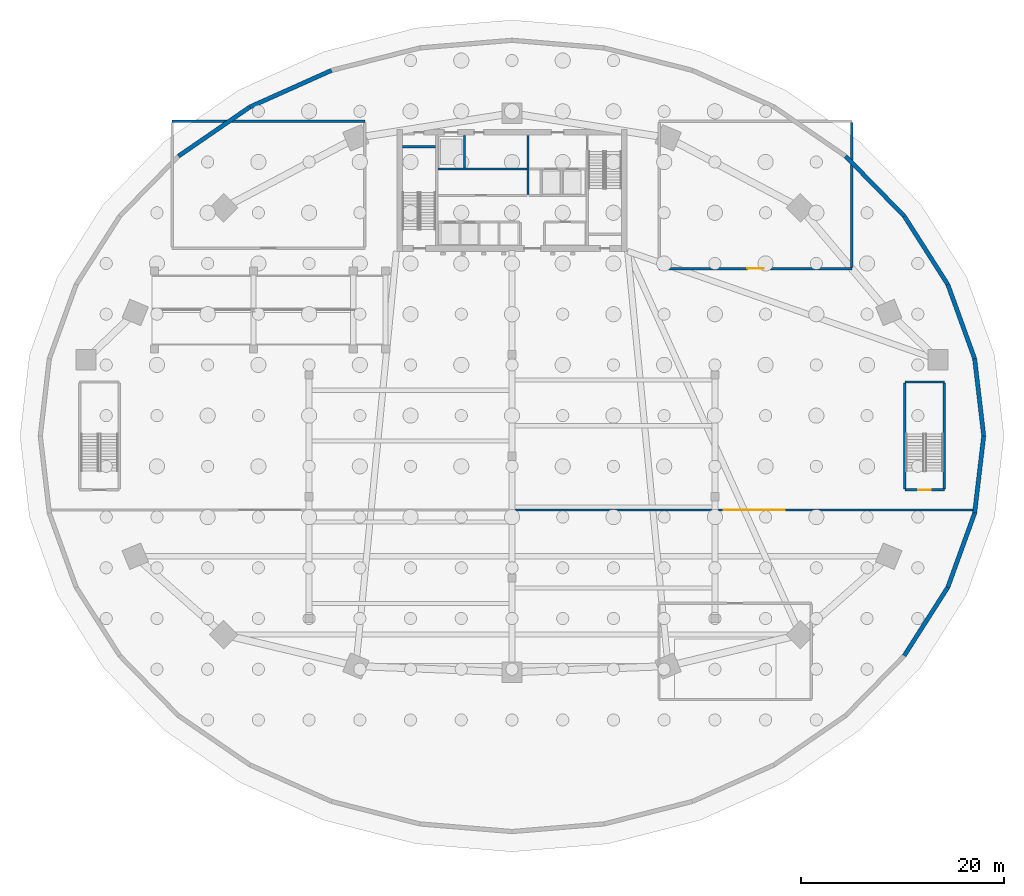
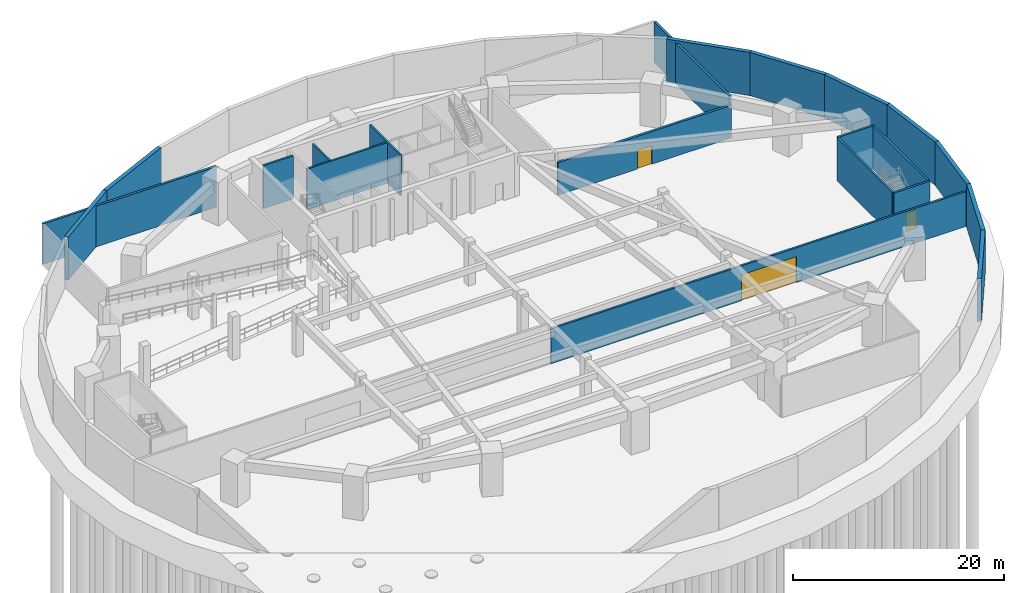
# One storey, part 6 of 11: 21 walls, 3 doors, 3 openings.
"""IFC4 building model written with IfcOpenShell, lengths in metres."""

from ifc_helpers import new_model, si_unit, direction, frame, frame_2d, origin, place, context, subcontext, project, spatial, rectangle, extrude, source, transform, mapped, material, layer, layer_set, type_object, type_shapes, element, fill, save


model = new_model("IFC4")

# Units and contexts
model_context = context("Model", 3, precision=1e-05, world=origin(), true_north=direction((0.0, 1.0)))
body_context = subcontext(model_context, "Body", "Model", "MODEL_VIEW")
ifc_project = project(units=[si_unit("LENGTHUNIT", "METRE"), si_unit("AREAUNIT", "SQUARE_METRE"), si_unit("VOLUMEUNIT", "CUBIC_METRE"), si_unit("PLANEANGLEUNIT", "RADIAN"), si_unit("MASSUNIT", "GRAM", prefix="KILO")], contexts=[model_context])

# Site, building, storey
site_placement = place(None, origin())
site = spatial("IfcSite", under=ifc_project, at=site_placement, CompositionType="ELEMENT")
building_placement = place(site_placement, origin())
building = spatial("IfcBuilding", under=site, at=building_placement, Name="Breltana Convention Tower", CompositionType="ELEMENT")
storey_placement = place(building_placement, frame((0.0, 0.0, -10.0)))
storey = spatial("IfcBuildingStorey", under=building, at=storey_placement, Name="B02", CompositionType="ELEMENT", Elevation=-10.0)

# Walls
ifc_material_1 = material(Name="Concrete C40/50", Category="concrete")
ifc_layer_1 = layer(ifc_material_1, 0.419921875, Name="Concrete C40/50")
ifc_layer_set_1 = layer_set([ifc_layer_1], Name="Concrete C40/50")
wall_type_1 = type_object("IfcWallType", Name="SW-BASE-420", PredefinedType="USERDEFINED", material=ifc_layer_set_1)
shared_shape_1 = source(origin(), body_context, "Body", "SweptSolid", [
    extrude(rectangle(XDim=7.66064453125, YDim=0.419921875, at=frame_2d((3.830322265625, 0.0))), origin(), (0.0, 0.0, 1.0), 5.0),
])
for number, where, z_axis, x_axis, name in (
    (1, (94.5, 42.0, 0.0), (0.0, 0.0, 1.0), (-0.116641545586, 0.993174078318, 0.0), "B02 Perimeter Retaining Wall 01"),
    (2, (93.6064453125, 34.3916015625, 0.0), (0.0, 0.0, 1.0), (0.116641545586, 0.993174078318, 0.0), "B02 Perimeter Retaining Wall 32"),
):
    element("IfcWall", number, at=place(storey_placement, frame(where, z_axis=z_axis, x_axis=x_axis)), inside=storey, type_object=wall_type_1, Name=name, ObjectType="RETAININGWALL", PredefinedType="USERDEFINED", context=body_context, shape_type="MappedRepresentation", body=[
        mapped(shared_shape_1, transform((0.0, 0.0, 0.0), scale=1.0)),
    ])
shared_shape_2 = source(origin(), body_context, "Body", "SweptSolid", [
    extrude(rectangle(XDim=7.7802734375, YDim=0.419921875, at=frame_2d((3.89013671875, 0.0))), origin(), (0.0, 0.0, 1.0), 5.0),
])
for number, where, z_axis, x_axis, name in (
    (3, (93.6064453125, 49.6083984375, 0.0), (0.0, 0.0, 1.0), (-0.340094752388, 0.940391173607, 0.0), "B02 Perimeter Retaining Wall 02"),
    (4, (90.96044921875, 27.0751953125, 0.0), (0.0, 0.0, 1.0), (0.340094752388, 0.940391173607, 0.0), "B02 Perimeter Retaining Wall 31"),
):
    element("IfcWall", number, at=place(storey_placement, frame(where, z_axis=z_axis, x_axis=x_axis)), inside=storey, type_object=wall_type_1, Name=name, ObjectType="RETAININGWALL", PredefinedType="USERDEFINED", context=body_context, shape_type="MappedRepresentation", body=[
        mapped(shared_shape_2, transform((0.0, 0.0, 0.0), scale=1.0)),
    ])
shared_shape_3 = source(origin(), body_context, "Body", "SweptSolid", [
    extrude(rectangle(XDim=7.995361328125, YDim=0.419921875, at=frame_2d((3.99755859375, 0.0))), origin(), (0.0, 0.0, 1.0), 5.0),
])
for number, where, z_axis, x_axis, name in (
    (5, (90.96044921875, 56.9248046875, 0.0), (0.0, 0.0, 1.0), (-0.537452304734, 0.84329414805, 0.0), "B02 Perimeter Retaining Wall 03"),
    (6, (86.663330078125, 20.332763671875, 0.0), (0.0, 0.0, 1.0), (0.537452304734, 0.84329414805, 0.0), "B02 Perimeter Retaining Wall 30"),
):
    element("IfcWall", number, at=place(storey_placement, frame(where, z_axis=z_axis, x_axis=x_axis)), inside=storey, type_object=wall_type_1, Name=name, ObjectType="RETAININGWALL", PredefinedType="USERDEFINED", context=body_context, shape_type="MappedRepresentation", body=[
        mapped(shared_shape_3, transform((0.0, 0.0, 0.0), scale=1.0)),
    ])
shared_shape_4 = source(origin(), body_context, "Body", "SweptSolid", [
    extrude(rectangle(XDim=8.268310546875, YDim=0.419921875, at=frame_2d((4.13427734375, 0.0))), origin(), (0.0, 0.0, 1.0), 5.0),
])
wall_1_placement = place(storey_placement, frame((86.663330078125, 63.667236328125, 0.0), z_axis=(0.0, 0.0, 1.0), x_axis=(-0.699373198463, 0.714756692358, 0.0)))
element("IfcWall", 7, at=wall_1_placement, inside=storey, type_object=wall_type_1, Name="B02 Perimeter Retaining Wall 04", ObjectType="RETAININGWALL", PredefinedType="USERDEFINED", context=body_context, shape_type="MappedRepresentation", body=[
    mapped(shared_shape_4, transform((0.0, 0.0, 0.0), scale=1.0)),
])
shared_shape_5 = source(origin(), body_context, "Body", "SweptSolid", [
    extrude(rectangle(XDim=8.554443359375, YDim=0.419921875, at=frame_2d((4.27734375, 0.0))), origin(), (0.0, 0.0, 1.0), 5.0),
])
wall_2_placement = place(storey_placement, frame((22.166015625, 74.42724609375, 0.0), z_axis=(0.0, 0.0, 1.0), x_axis=(-0.823739529001, -0.566968419192, 0.0)))
element("IfcWall", 8, at=wall_2_placement, inside=storey, type_object=wall_type_1, Name="B02 Perimeter Retaining Wall 12", ObjectType="RETAININGWALL", PredefinedType="USERDEFINED", context=body_context, shape_type="MappedRepresentation", body=[
    mapped(shared_shape_5, transform((0.0, 0.0, 0.0), scale=1.0)),
])
shared_shape_6 = source(origin(), body_context, "Body", "SweptSolid", [
    extrude(rectangle(XDim=8.81005859375, YDim=0.419921875, at=frame_2d((4.405029296875, 0.0))), origin(), (0.0, 0.0, 1.0), 5.0),
])
wall_3_placement = place(storey_placement, frame((30.205078125, 78.03125, 0.0), z_axis=(0.0, 0.0, 1.0), x_axis=(-0.912497196731, -0.409082957305, 0.0)))
element("IfcWall", 9, at=wall_3_placement, inside=storey, type_object=wall_type_1, Name="B02 Perimeter Retaining Wall 11", ObjectType="RETAININGWALL", PredefinedType="USERDEFINED", context=body_context, shape_type="MappedRepresentation", body=[
    mapped(shared_shape_6, transform((0.0, 0.0, 0.0), scale=1.0)),
])
ifc_material_2 = material(Name="Concrete C50/60", Category="concrete")
ifc_layer_2 = layer(ifc_material_2, 0.39990234375, Name="Concrete C50/60")
ifc_layer_set_2 = layer_set([ifc_layer_2], Name="Concrete C50/60")
wall_type_2 = type_object("IfcWallType", Name="SW-CORE-400", PredefinedType="SHEAR", material=ifc_layer_set_2)
shared_shape_7 = source(origin(), body_context, "Body", "SweptSolid", [
    extrude(rectangle(XDim=3.27001953125, YDim=0.219970703125, at=frame_2d((1.635009765625, 0.0))), origin(), (0.0, 0.0, 1.0), 5.0),
])
type_shapes(wall_type_2, [shared_shape_7])
wall_4_placement = place(storey_placement, frame((37.199951171875, 70.510009765625, 0.0), z_axis=(0.0, 0.0, 1.0), x_axis=(1.0, 0.0, 0.0)))
element("IfcWall", 10, at=wall_4_placement, inside=storey, type_object=wall_type_2, Name="B02 ST-1 Stairwell North Bearing Wall", PredefinedType="SHEAR", context=body_context, shape_type="MappedRepresentation", body=[
    mapped(shared_shape_7, transform((0.0, 0.0, 0.0), scale=1.0)),
])
ifc_material_3 = material(Name="Autoclaved Aerated Concrete Block", Category="concrete")
ifc_layer_3 = layer(ifc_material_3, 0.199951171875, Name="Autoclaved Aerated Concrete Block")
ifc_layer_set_3 = layer_set([ifc_layer_3], Name="Autoclaved Aerated Concrete Block")
wall_type_3 = type_object("IfcWallType", Name="WL-SHAFT-200", PredefinedType="SOLIDWALL", material=ifc_layer_set_3)
shared_shape_8 = source(origin(), body_context, "Body", "SweptSolid", [
    extrude(rectangle(XDim=5.800048828125, YDim=0.199951171875, at=frame_2d((2.89990234375, 0.0))), origin(), (0.0, 0.0, 1.0), 4.699951171875),
])
wall_5_placement = place(storey_placement, frame((49.60009765625, 65.800048828125, 0.0), z_axis=(0.0, 0.0, 1.0), x_axis=(0.0, 1.0, 0.0)))
element("IfcWall", 11, at=wall_5_placement, inside=storey, type_object=wall_type_3, Name="B02 interior partition W-B02-FFL-W", PredefinedType="SOLIDWALL", context=body_context, shape_type="MappedRepresentation", body=[
    mapped(shared_shape_8, transform((0.0, 0.0, 0.0), scale=1.0)),
])
shared_shape_9 = source(origin(), body_context, "Body", "SweptSolid", [
    extrude(rectangle(XDim=3.2001953125, YDim=0.199951171875, at=frame_2d((1.60009765625, 0.0))), origin(), (0.0, 0.0, 1.0), 4.699951171875),
])
wall_6_placement = place(storey_placement, frame((43.320068359375, 68.39990234375, 0.0), z_axis=(0.0, 0.0, 1.0), x_axis=(0.0, 1.0, 0.0)))
element("IfcWall", 12, at=wall_6_placement, inside=storey, type_object=wall_type_3, Name="B02 interior partition W-B02-SV-E", PredefinedType="SOLIDWALL", context=body_context, shape_type="MappedRepresentation", body=[
    mapped(shared_shape_9, transform((0.0, 0.0, 0.0), scale=1.0)),
])
shared_shape_10 = source(origin(), body_context, "Body", "SweptSolid", [
    extrude(rectangle(XDim=8.800048828125, YDim=0.199951171875, at=frame_2d((4.39990234375, 0.0))), origin(), (0.0, 0.0, 1.0), 4.699951171875),
])
wall_7_placement = place(storey_placement, frame((40.699951171875, 68.300048828125, 0.0), z_axis=(0.0, 0.0, 1.0), x_axis=(1.0, 0.0, 0.0)))
element("IfcWall", 13, at=wall_7_placement, inside=storey, type_object=wall_type_3, Name="B02 interior partition W-B02-SV-S", PredefinedType="SOLIDWALL", context=body_context, shape_type="MappedRepresentation", body=[
    mapped(shared_shape_10, transform((0.0, 0.0, 0.0), scale=1.0)),
])

# Wall, opening, door
ifc_layer_4 = layer(ifc_material_1, 0.219970703125, Name="Concrete C40/50")
ifc_layer_set_4 = layer_set([ifc_layer_4], Name="Concrete C40/50")
wall_type_4 = type_object("IfcWallType", Name="WL-SHAFT-220", PredefinedType="SOLIDWALL", material=ifc_layer_set_4)
shared_shape_11 = source(origin(), body_context, "Body", "SweptSolid", [
    extrude(rectangle(XDim=3.89013671875, YDim=0.219970703125, at=frame_2d((1.945068359375, 0.0))), origin(), (0.0, 0.0, 1.0), 5.0),
])
type_shapes(wall_type_4, [shared_shape_11])
wall_8_placement = place(storey_placement, frame((86.719970703125, 36.68994140625, 0.0), z_axis=(0.0, 0.0, 1.0), x_axis=(1.0, 0.0, 0.0)))
wall_8 = element("IfcWall", 14, at=wall_8_placement, inside=storey, type_object=wall_type_4, Name="B02 interior partition W-B02-ST4-S", PredefinedType="SOLIDWALL", context=body_context, shape_type="MappedRepresentation", body=[
    mapped(shared_shape_11, transform((0.0, 0.0, 0.0), scale=1.0)),
])
opening_1_placement = place(wall_8_placement, frame((1.344970703125, 0.0, 0.0)))
opening_1 = element("IfcOpeningElement", 15, at=opening_1_placement, cuts=wall_8, Name="Opening D-09", PredefinedType="OPENING", context=body_context, shape_type="SweptSolid", body=[
    extrude(rectangle(XDim=1.199951171875, YDim=2.14990234375, at=frame_2d((0.60009765625, 1.074951171875))), frame((0.0, 0.1201171875, 0.0), z_axis=(0.0, -1.0, 0.0), x_axis=(1.0, 0.0, 0.0)), (0.0, 0.0, 1.0), 0.239990234375),
])
ifc_material_4 = material(Name="Steel Fire Lobby Door", Category="steel")
door_type_1 = type_object("IfcDoorType", Name="DR-FD120-1200", OperationType="NOTDEFINED", PredefinedType="DOOR", material=ifc_material_4)
shared_shape_12 = source(origin(), body_context, "Body", "SweptSolid", [
    extrude(rectangle(XDim=1.199951171875, YDim=2.14990234375, at=frame_2d((0.60009765625, 1.074951171875))), frame((0.0, 0.02490234375, 0.0), z_axis=(0.0, -1.0, 0.0), x_axis=(1.0, 0.0, 0.0)), (0.0, 0.0, 1.0), 0.050048828125),
])
type_shapes(door_type_1, [shared_shape_12])
door_1_placement = place(opening_1_placement, origin())
door_1 = element("IfcDoor", 16, at=door_1_placement, inside=storey, type_object=door_type_1, Name="B02 interior door D-B02-ST4", OperationType="SINGLE_SWING_RIGHT", OverallHeight=2.14990234375, OverallWidth=1.199951171875, PredefinedType="DOOR", context=body_context, shape_type="MappedRepresentation", body=[
    mapped(shared_shape_12, transform((0.0, 0.0, 0.0), scale=1.0)),
])
fill(opening_1, door_1)

# Walls
wall_9_placement = place(storey_placement, frame((86.719970703125, 47.31005859375, 0.0), z_axis=(0.0, 0.0, 1.0), x_axis=(1.0, 0.0, 0.0)))
element("IfcWall", 17, at=wall_9_placement, inside=storey, type_object=wall_type_4, Name="B02 interior partition W-B02-ST4-N", PredefinedType="SOLIDWALL", context=body_context, shape_type="MappedRepresentation", body=[
    mapped(shared_shape_11, transform((0.0, 0.0, 0.0), scale=1.0)),
])
shared_shape_13 = source(origin(), body_context, "Body", "SweptSolid", [
    extrude(rectangle(XDim=10.421875, YDim=0.219970703125, at=frame_2d((5.2109375, 0.0))), origin(), (0.0, 0.0, 1.0), 5.0),
])
for number, where, z_axis, x_axis, name in (
    (18, (86.719970703125, 36.7890625, 0.0), (0.0, 0.0, 1.0), (0.0, 1.0, 0.0), "B02 interior partition W-B02-ST4-W"),
    (19, (90.610107421875, 36.7890625, 0.0), (0.0, 0.0, 1.0), (0.0, 1.0, 0.0), "B02 interior partition W-B02-ST4-E"),
):
    element("IfcWall", number, at=place(storey_placement, frame(where, z_axis=z_axis, x_axis=x_axis)), inside=storey, type_object=wall_type_4, Name=name, PredefinedType="SOLIDWALL", context=body_context, shape_type="MappedRepresentation", body=[
        mapped(shared_shape_13, transform((0.0, 0.0, 0.0), scale=1.0)),
    ])

# Wall, opening, door
ifc_material_5 = material(Name="Gypsum Acoustic Double Stud Wall")
ifc_layer_5 = layer(ifc_material_5, 0.25, Name="Gypsum Acoustic Double Stud Wall")
ifc_layer_set_5 = layer_set([ifc_layer_5], Name="Gypsum Acoustic Double Stud Wall")
wall_type_5 = type_object("IfcWallType", Name="WL-ACOUSTIC-250", PredefinedType="PARTITIONING", material=ifc_layer_set_5)
shared_shape_14 = source(origin(), body_context, "Body", "SweptSolid", [
    extrude(rectangle(XDim=19.0, YDim=0.25, at=frame_2d((9.5, 0.0))), origin(), (0.0, 0.0, 1.0), 3.780029296875),
])
type_shapes(wall_type_5, [shared_shape_14])
wall_10_placement = place(storey_placement, frame((62.5, 58.5, 0.0), z_axis=(0.0, 0.0, 1.0), x_axis=(1.0, 0.0, 0.0)))
wall_10 = element("IfcWall", 20, at=wall_10_placement, inside=storey, type_object=wall_type_5, Name="B02 interior partition W-B02-PLT1-S", PredefinedType="PARTITIONING", context=body_context, shape_type="MappedRepresentation", body=[
    mapped(shared_shape_14, transform((0.0, 0.0, 0.0), scale=1.0)),
])
opening_2_placement = place(wall_10_placement, frame((8.699951171875, 0.0, 0.0)))
opening_2 = element("IfcOpeningElement", 21, at=opening_2_placement, cuts=wall_10, Name="Opening D-04", PredefinedType="OPENING", context=body_context, shape_type="SweptSolid", body=[
    extrude(rectangle(XDim=1.60009765625, YDim=2.14990234375, at=frame_2d((0.800048828125, 1.074951171875))), frame((0.0, 0.135009765625, 0.0), z_axis=(0.0, -1.0, 0.0), x_axis=(1.0, 0.0, 0.0)), (0.0, 0.0, 1.0), 0.27001953125),
])
ifc_material_6 = material(Name="Steel Heavy-Duty Plant Door", Category="steel")
door_type_2 = type_object("IfcDoorType", Name="DR-PLT-1600", OperationType="DOUBLE_DOOR_SINGLE_SWING", PredefinedType="DOOR", material=ifc_material_6)
shared_shape_15 = source(origin(), body_context, "Body", "SweptSolid", [
    extrude(rectangle(XDim=1.60009765625, YDim=2.14990234375, at=frame_2d((0.800048828125, 1.074951171875))), frame((0.0, 0.02490234375, 0.0), z_axis=(0.0, -1.0, 0.0), x_axis=(1.0, 0.0, 0.0)), (0.0, 0.0, 1.0), 0.050048828125),
])
type_shapes(door_type_2, [shared_shape_15])
door_2_placement = place(opening_2_placement, origin())
door_2 = element("IfcDoor", 22, at=door_2_placement, inside=storey, type_object=door_type_2, Name="B02 interior door D-B02-PLT1", OperationType="SINGLE_SWING_LEFT", OverallHeight=2.14990234375, OverallWidth=1.60009765625, PredefinedType="DOOR", context=body_context, shape_type="MappedRepresentation", body=[
    mapped(shared_shape_15, transform((0.0, 0.0, 0.0), scale=1.0)),
])
fill(opening_2, door_2)

# Walls
shared_shape_16 = source(origin(), body_context, "Body", "SweptSolid", [
    extrude(rectangle(XDim=19.0, YDim=0.25, at=frame_2d((9.5, 0.0))), origin(), (0.0, 0.0, 1.0), 4.699951171875),
])
wall_11_placement = place(storey_placement, frame((14.5, 73.0, 0.0), z_axis=(0.0, 0.0, 1.0), x_axis=(1.0, 0.0, 0.0)))
element("IfcWall", 23, at=wall_11_placement, inside=storey, type_object=wall_type_5, Name="B02 interior partition W-B02-PLT2-N", PredefinedType="PARTITIONING", context=body_context, shape_type="MappedRepresentation", body=[
    mapped(shared_shape_16, transform((0.0, 0.0, 0.0), scale=1.0)),
])
shared_shape_17 = source(origin(), body_context, "Body", "SweptSolid", [
    extrude(rectangle(XDim=14.27490234375, YDim=0.25, at=frame_2d((7.137451171875, 0.0))), origin(), (0.0, 0.0, 1.0), 4.699951171875),
])
wall_12_placement = place(storey_placement, frame((81.5, 58.612548828125, 0.0), z_axis=(0.0, 0.0, 1.0), x_axis=(0.0, 1.0, 0.0)))
element("IfcWall", 24, at=wall_12_placement, inside=storey, type_object=wall_type_5, Name="B02 interior partition W-B02-PLT1-E", PredefinedType="PARTITIONING", context=body_context, shape_type="MappedRepresentation", body=[
    mapped(shared_shape_17, transform((0.0, 0.0, 0.0), scale=1.0)),
])

# Wall, opening, door
shared_shape_18 = source(origin(), body_context, "Body", "SweptSolid", [
    extrude(rectangle(XDim=45.451416015625, YDim=0.219970703125, at=frame_2d((22.7255859375, 0.0))), origin(), (0.0, 0.0, 1.0), 4.030029296875),
])
wall_13_placement = place(storey_placement, frame((48.0, 34.699951171875, 0.0), z_axis=(0.0, 0.0, 1.0), x_axis=(1.0, 0.0, 0.0)))
wall_13 = element("IfcWall", 25, at=wall_13_placement, inside=storey, type_object=wall_type_4, Name="B02 interior partition W-B02-FSH-E", PredefinedType="SOLIDWALL", context=body_context, shape_type="MappedRepresentation", body=[
    mapped(shared_shape_18, transform((0.0, 0.0, 0.0), scale=1.0)),
])
opening_3_placement = place(wall_13_placement, frame((20.875732421875, 0.0, 0.0)))
opening_3 = element("IfcOpeningElement", 26, at=opening_3_placement, cuts=wall_13, Name="Opening VG-03", PredefinedType="OPENING", context=body_context, shape_type="SweptSolid", body=[
    extrude(rectangle(XDim=6.0, YDim=3.0, at=frame_2d((3.0, 1.5))), frame((0.0, 0.1201171875, 0.0), z_axis=(0.0, -1.0, 0.0), x_axis=(1.0, 0.0, 0.0)), (0.0, 0.0, 1.0), 0.239990234375),
])
ifc_material_7 = material(Name="Steel Fire-Rated Roller Shutter", Category="steel")
door_type_3 = type_object("IfcDoorType", Name="DR-GATE-FIRE-6000", OperationType="ROLLINGUP", PredefinedType="GATE", material=ifc_material_7)
shared_shape_19 = source(origin(), body_context, "Body", "SweptSolid", [
    extrude(rectangle(XDim=6.0, YDim=3.0, at=frame_2d((3.0, 1.5))), frame((0.0, 0.02490234375, 0.0), z_axis=(0.0, -1.0, 0.0), x_axis=(1.0, 0.0, 0.0)), (0.0, 0.0, 1.0), 0.050048828125),
])
type_shapes(door_type_3, [shared_shape_19])
door_3_placement = place(opening_3_placement, origin())
door_3 = element("IfcDoor", 27, at=door_3_placement, inside=storey, type_object=door_type_3, Name="B02 interior door VG-B02-FIRE-E", OperationType="ROLLINGUP", OverallHeight=3.0, OverallWidth=6.0, PredefinedType="GATE", context=body_context, shape_type="MappedRepresentation", body=[
    mapped(shared_shape_19, transform((0.0, 0.0, 0.0), scale=1.0)),
])
fill(opening_3, door_3)

save(model, "model.ifc")
